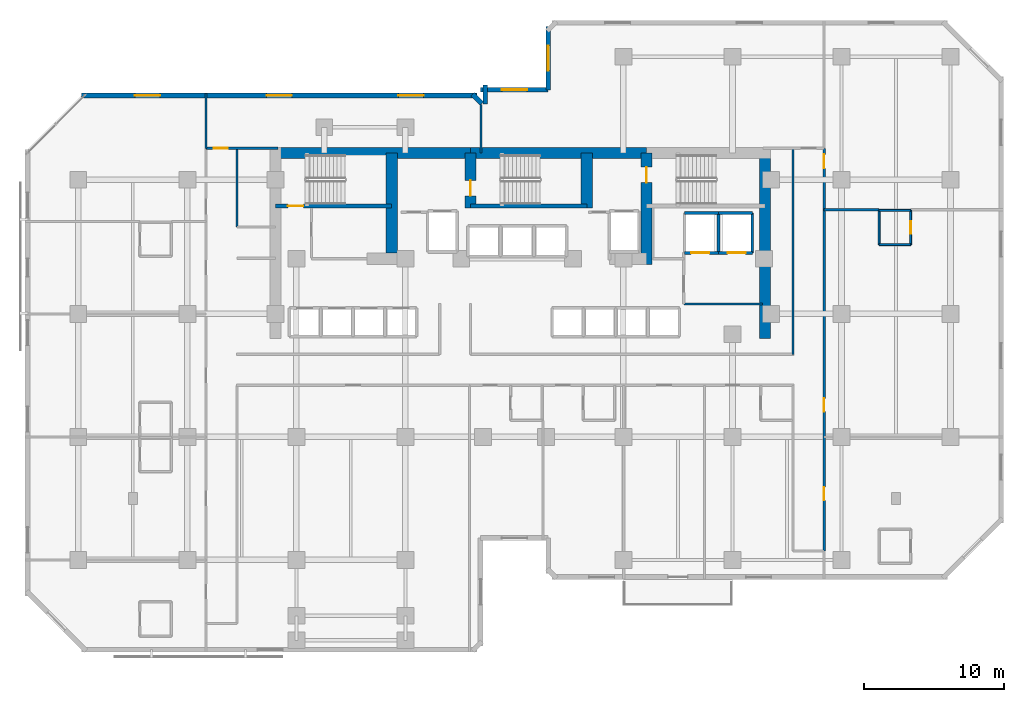
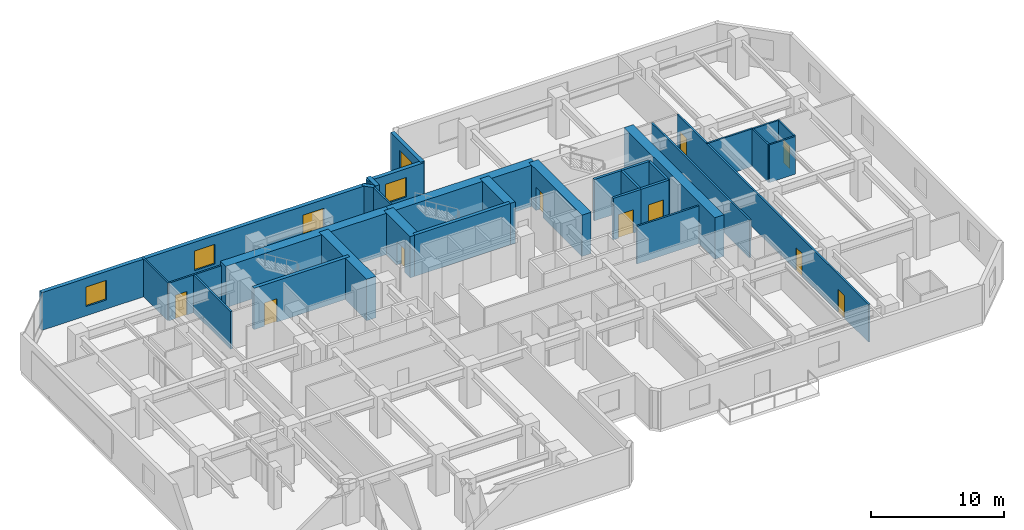
# One storey, part 8 of 11: 32 walls, 10 doors, 5 windows, 15 openings.
"""IFC4 building model written with IfcOpenShell, lengths in metres."""

from ifc_helpers import new_model, si_unit, direction, frame, frame_2d, origin, place, context, subcontext, project, spatial, rectangle, extrude, material, layer, layer_set, type_object, element, fill, save


model = new_model("IFC4")

# Units and contexts
model_context = context("Model", 3, precision=1e-05, world=origin(), true_north=direction((0.0, 1.0)))
body_context = subcontext(model_context, "Body", "Model", "MODEL_VIEW")
ifc_project = project(units=[si_unit("LENGTHUNIT", "METRE"), si_unit("AREAUNIT", "SQUARE_METRE"), si_unit("VOLUMEUNIT", "CUBIC_METRE"), si_unit("PLANEANGLEUNIT", "RADIAN"), si_unit("MASSUNIT", "GRAM", prefix="KILO")], contexts=[model_context])

# Site, building, storey
site_placement = place(None, origin())
site = spatial("IfcSite", under=ifc_project, at=site_placement, CompositionType="ELEMENT")
building_placement = place(site_placement, origin())
building = spatial("IfcBuilding", under=site, at=building_placement, Name="Kestravale Grand Hotel", CompositionType="ELEMENT")
storey_placement = place(building_placement, frame((0.0, 0.0, 126.0)))
storey = spatial("IfcBuildingStorey", under=building, at=storey_placement, Name="L31", CompositionType="ELEMENT", Elevation=126.0)

# Walls
ifc_material_1 = material(Name="Concrete f'c 60 MPa", Category="concrete")
ifc_layer_1 = layer(ifc_material_1, 0.800048828125)
ifc_layer_set_1 = layer_set([ifc_layer_1], Name="EW-CORE-800")
wall_type_1 = type_object("IfcWallType", Name="EW-CORE-800", PredefinedType="SHEAR", material=ifc_layer_set_1)
wall_1_placement = place(storey_placement, frame((21.5, 40.320068359375, 0.0), z_axis=(0.0, 0.0, 1.0), x_axis=(1.0, 0.0, 0.0)))
element("IfcWall", 1, at=wall_1_placement, inside=storey, type_object=wall_type_1, Name="L31 core shear wall N1", PredefinedType="SHEAR", context=body_context, shape_type="SweptSolid", body=[
    extrude(rectangle(XDim=14.35009765625, YDim=0.800048828125, at=frame_2d((7.175048828125, 0.0))), origin(), (0.0, 0.0, 1.0), 3.800048828125),
])
wall_2_placement = place(storey_placement, frame((35.85009765625, 40.320068359375, 0.0), z_axis=(0.0, 0.0, 1.0), x_axis=(1.0, 0.0, 0.0)))
element("IfcWall", 2, at=wall_2_placement, inside=storey, type_object=wall_type_1, Name="L31 core shear wall N2", PredefinedType="SHEAR", context=body_context, shape_type="SweptSolid", body=[
    extrude(rectangle(XDim=12.599853515625, YDim=0.800048828125, at=frame_2d((6.2998046875, 0.0))), origin(), (0.0, 0.0, 1.0), 3.800048828125),
])
wall_3_placement = place(storey_placement, frame((56.919921875, 27.050048828125, 0.0), z_axis=(0.0, 0.0, 1.0), x_axis=(0.0, 1.0, 0.0)))
element("IfcWall", 3, at=wall_3_placement, inside=storey, type_object=wall_type_1, Name="L31 core shear wall E1", PredefinedType="SHEAR", context=body_context, shape_type="SweptSolid", body=[
    extrude(rectangle(XDim=13.669921875, YDim=0.800048828125, at=frame_2d((6.8349609375, 0.0))), origin(), (0.0, 0.0, 1.0), 3.800048828125),
])
wall_4_placement = place(storey_placement, frame((30.219970703125, 33.14990234375, 0.0), z_axis=(0.0, 0.0, 1.0), x_axis=(0.0, 1.0, 0.0)))
element("IfcWall", 4, at=wall_4_placement, inside=storey, type_object=wall_type_1, Name="L31 core shear wall X1", PredefinedType="SHEAR", context=body_context, shape_type="SweptSolid", body=[
    extrude(rectangle(XDim=7.170166015625, YDim=0.800048828125, at=frame_2d((3.5849609375, 0.0))), origin(), (0.0, 0.0, 1.0), 3.800048828125),
])

# Wall, opening, door
wall_5_placement = place(storey_placement, frame((35.85009765625, 36.3701171875, 0.0), z_axis=(0.0, 0.0, 1.0), x_axis=(0.0, 1.0, 0.0)))
wall_5 = element("IfcWall", 5, at=wall_5_placement, inside=storey, type_object=wall_type_1, Name="L31 core shear wall X2", PredefinedType="SHEAR", context=body_context, shape_type="SweptSolid", body=[
    extrude(rectangle(XDim=3.949951171875, YDim=0.800048828125, at=frame_2d((1.97509765625, 0.0))), origin(), (0.0, 0.0, 1.0), 3.800048828125),
])
opening_1_placement = place(wall_5_placement, frame((0.8798828125, 0.0, 0.0)))
opening_1 = element("IfcOpeningElement", 6, at=opening_1_placement, cuts=wall_5, Name="Opening D-ST-1100", PredefinedType="OPENING", context=body_context, shape_type="SweptSolid", body=[
    extrude(rectangle(XDim=1.10009765625, YDim=2.14990234375, at=frame_2d((0.550048828125, 1.074951171875))), frame((0.0, 0.409912109375, 0.0), z_axis=(0.0, -1.0, 0.0), x_axis=(1.0, 0.0, 0.0)), (0.0, 0.0, 1.0), 0.820068359375),
])
ifc_material_2 = material(Name="Galvanised 90-minute fire-rated steel stair door", Category="steel")
door_type_1 = type_object("IfcDoorType", Name="D-ST-1100", OperationType="NOTDEFINED", PredefinedType="DOOR", material=ifc_material_2)
door_1_placement = place(opening_1_placement, origin())
door_1 = element("IfcDoor", 7, at=door_1_placement, inside=storey, type_object=door_type_1, Name="L31 Stair ST-2 FSAE fire door", OperationType="SINGLE_SWING_RIGHT", OverallHeight=2.14990234375, OverallWidth=1.10009765625, PredefinedType="DOOR", context=body_context, shape_type="SweptSolid", body=[
    extrude(rectangle(XDim=1.10009765625, YDim=2.14990234375, at=frame_2d((0.550048828125, 1.074951171875))), frame((0.0, 0.02490234375, 0.0), z_axis=(0.0, -1.0, 0.0), x_axis=(1.0, 0.0, 0.0)), (0.0, 0.0, 1.0), 0.050048828125),
])
fill(opening_1, door_1)

# Wall
wall_6_placement = place(storey_placement, frame((44.179931640625, 36.3701171875, 0.0), z_axis=(0.0, 0.0, 1.0), x_axis=(0.0, 1.0, 0.0)))
element("IfcWall", 8, at=wall_6_placement, inside=storey, type_object=wall_type_1, Name="L31 core shear wall X3", PredefinedType="SHEAR", context=body_context, shape_type="SweptSolid", body=[
    extrude(rectangle(XDim=3.949951171875, YDim=0.800048828125, at=frame_2d((1.97509765625, 0.0))), origin(), (0.0, 0.0, 1.0), 3.800048828125),
])

# Wall, opening, door
wall_7_placement = place(storey_placement, frame((48.449951171875, 32.35009765625, 0.0), z_axis=(0.0, 0.0, 1.0), x_axis=(0.0, 1.0, 0.0)))
wall_7 = element("IfcWall", 9, at=wall_7_placement, inside=storey, type_object=wall_type_1, Name="L31 core shear wall X4", PredefinedType="SHEAR", context=body_context, shape_type="SweptSolid", body=[
    extrude(rectangle(XDim=7.969970703125, YDim=0.800048828125, at=frame_2d((3.98486328125, 0.0))), origin(), (0.0, 0.0, 1.0), 3.800048828125),
])
opening_2_placement = place(wall_7_placement, frame((5.85009765625, 0.0, 0.0)))
opening_2 = element("IfcOpeningElement", 10, at=opening_2_placement, cuts=wall_7, Name="Opening D-ST-1100", PredefinedType="OPENING", context=body_context, shape_type="SweptSolid", body=[
    extrude(rectangle(XDim=1.10009765625, YDim=2.14990234375, at=frame_2d((0.550048828125, 1.074951171875))), frame((0.0, 0.409912109375, 0.0), z_axis=(0.0, -1.0, 0.0), x_axis=(1.0, 0.0, 0.0)), (0.0, 0.0, 1.0), 0.820068359375),
])
door_2_placement = place(opening_2_placement, origin())
door_2 = element("IfcDoor", 11, at=door_2_placement, inside=storey, type_object=door_type_1, Name="L31 Stair ST-3 FSAE fire door", OperationType="SINGLE_SWING_RIGHT", OverallHeight=2.14990234375, OverallWidth=1.10009765625, PredefinedType="DOOR", context=body_context, shape_type="SweptSolid", body=[
    extrude(rectangle(XDim=1.10009765625, YDim=2.14990234375, at=frame_2d((0.550048828125, 1.074951171875))), frame((0.0, 0.02490234375, 0.0), z_axis=(0.0, -1.0, 0.0), x_axis=(1.0, 0.0, 0.0)), (0.0, 0.0, 1.0), 0.050048828125),
])
fill(opening_2, door_2)

# Wall, opening, window
ifc_material_3 = material(Name="Precast concrete f'c 45 MPa", Category="concrete")
ifc_layer_2 = layer(ifc_material_3, 0.340087890625)
ifc_layer_set_2 = layer_set([ifc_layer_2], Name="EW-PREC-340")
wall_type_2 = type_object("IfcWallType", Name="EW-PREC-340", PredefinedType="SOLIDWALL", material=ifc_layer_set_2)
wall_8_placement = place(storey_placement, frame((41.419921875, 49.3701171875, 0.0), z_axis=(0.0, 0.0, 1.0), x_axis=(0.0, -1.0, 0.0)))
wall_8 = element("IfcWall", 12, at=wall_8_placement, inside=storey, type_object=wall_type_2, Name="L31 fluted precast facade wall 13", PredefinedType="SOLIDWALL", context=body_context, shape_type="SweptSolid", body=[
    extrude(rectangle(XDim=4.5400390625, YDim=0.340087890625, at=frame_2d((2.27001953125, 0.0))), origin(), (0.0, 0.0, 1.0), 3.4599609375),
])
opening_3_placement = place(wall_8_placement, frame((1.3701171875, 0.0, 0.85009765625)))
opening_3 = element("IfcOpeningElement", 13, at=opening_3_placement, cuts=wall_8, Name="Opening W-GUEST-1800", PredefinedType="OPENING", context=body_context, shape_type="SweptSolid", body=[
    extrude(rectangle(XDim=1.800048828125, YDim=1.800048828125, at=frame_2d((0.89990234375, 0.89990234375))), frame((0.0, 0.179931640625, 0.0), z_axis=(0.0, -1.0, 0.0), x_axis=(1.0, 0.0, 0.0)), (0.0, 0.0, 1.0), 0.360107421875),
])
ifc_material_4 = material(Name="Insulated low-E double glazing in aluminium frame", Category="aluminium")
window_type = type_object("IfcWindowType", Name="W-GUEST-1800", PartitioningType="DOUBLE_PANEL_VERTICAL", PredefinedType="WINDOW", material=ifc_material_4)
window_1_placement = place(opening_3_placement, origin())
window_1 = element("IfcWindow", 14, at=window_1_placement, inside=storey, type_object=window_type, Name="L31 exterior window 13.1", OverallHeight=1.800048828125, OverallWidth=1.800048828125, PartitioningType="SINGLE_PANEL", PredefinedType="WINDOW", context=body_context, shape_type="SweptSolid", body=[
    extrude(rectangle(XDim=1.800048828125, YDim=1.800048828125, at=frame_2d((0.89990234375, 0.89990234375))), frame((0.0, 0.030029296875, 0.0), z_axis=(0.0, -1.0, 0.0), x_axis=(1.0, 0.0, 0.0)), (0.0, 0.0, 1.0), 0.06005859375),
])
fill(opening_3, window_1)

wall_9_placement = place(storey_placement, frame((41.419921875, 44.830078125, 0.0), z_axis=(0.0, 0.0, 1.0), x_axis=(-1.0, 0.0, 0.0)))
wall_9 = element("IfcWall", 15, at=wall_9_placement, inside=storey, type_object=wall_type_2, Name="L31 fluted precast facade wall 14", PredefinedType="SOLIDWALL", context=body_context, shape_type="SweptSolid", body=[
    extrude(rectangle(XDim=4.83984375, YDim=0.340087890625, at=frame_2d((2.419921875, 0.0))), origin(), (0.0, 0.0, 1.0), 3.4599609375),
])
opening_4_placement = place(wall_9_placement, frame((1.52001953125, 0.0, 0.85009765625)))
opening_4 = element("IfcOpeningElement", 16, at=opening_4_placement, cuts=wall_9, Name="Opening W-GUEST-1800", PredefinedType="OPENING", context=body_context, shape_type="SweptSolid", body=[
    extrude(rectangle(XDim=1.800048828125, YDim=1.800048828125, at=frame_2d((0.89990234375, 0.89990234375))), frame((0.0, 0.179931640625, 0.0), z_axis=(0.0, -1.0, 0.0), x_axis=(1.0, 0.0, 0.0)), (0.0, 0.0, 1.0), 0.360107421875),
])
window_2_placement = place(opening_4_placement, origin())
window_2 = element("IfcWindow", 17, at=window_2_placement, inside=storey, type_object=window_type, Name="L31 exterior window 14.1", OverallHeight=1.800048828125, OverallWidth=1.800048828125, PartitioningType="SINGLE_PANEL", PredefinedType="WINDOW", context=body_context, shape_type="SweptSolid", body=[
    extrude(rectangle(XDim=1.800048828125, YDim=1.800048828125, at=frame_2d((0.89990234375, 0.89990234375))), frame((0.0, 0.030029296875, 0.0), z_axis=(0.0, -1.0, 0.0), x_axis=(1.0, 0.0, 0.0)), (0.0, 0.0, 1.0), 0.06005859375),
])
fill(opening_4, window_2)

# Walls
wall_10_placement = place(storey_placement, frame((36.919921875, 45.169921875, 0.0), z_axis=(0.0, 0.0, 1.0), x_axis=(0.0, -1.0, 0.0)))
element("IfcWall", 18, at=wall_10_placement, inside=storey, type_object=wall_type_2, Name="L31 fluted precast facade wall 15", PredefinedType="SOLIDWALL", context=body_context, shape_type="SweptSolid", body=[
    extrude(rectangle(XDim=1.33984375, YDim=0.340087890625, at=frame_2d((0.669921875, 0.0))), origin(), (0.0, 0.0, 1.0), 3.4599609375),
])
wall_11_placement = place(storey_placement, frame((36.658203125, 43.8515625, 0.0), z_axis=(0.0, 0.0, 1.0), x_axis=(-0.707238225886, 0.706975312048, 0.0)))
element("IfcWall", 19, at=wall_11_placement, inside=storey, type_object=wall_type_2, Name="L31 fluted precast facade wall 16", PredefinedType="SOLIDWALL", context=body_context, shape_type="SweptSolid", body=[
    extrude(rectangle(XDim=0.9287109375, YDim=0.340087890625, at=frame_2d((0.46435546875, 0.0))), origin(), (0.0, 0.0, 1.0), 3.4599609375),
])

# Wall, openings, windows
wall_12_placement = place(storey_placement, frame((36.320068359375, 44.429931640625, 0.0), z_axis=(0.0, 0.0, 1.0), x_axis=(-1.0, 0.0, 0.0)))
wall_12 = element("IfcWall", 20, at=wall_12_placement, inside=storey, type_object=wall_type_2, Name="L31 fluted precast facade wall 17", PredefinedType="SOLIDWALL", context=body_context, shape_type="SweptSolid", body=[
    extrude(rectangle(XDim=28.2900390625, YDim=0.340087890625, at=frame_2d((14.14501953125, 0.0))), origin(), (0.0, 0.0, 1.0), 3.4599609375),
])
opening_5_placement = place(wall_12_placement, frame((3.81494140625, 0.0, 0.85009765625)))
opening_5 = element("IfcOpeningElement", 21, at=opening_5_placement, cuts=wall_12, Name="Opening W-GUEST-1800", PredefinedType="OPENING", context=body_context, shape_type="SweptSolid", body=[
    extrude(rectangle(XDim=1.800048828125, YDim=1.800048828125, at=frame_2d((0.89990234375, 0.89990234375))), frame((0.0, 0.179931640625, 0.0), z_axis=(0.0, -1.0, 0.0), x_axis=(1.0, 0.0, 0.0)), (0.0, 0.0, 1.0), 0.360107421875),
])
opening_6_placement = place(wall_12_placement, frame((13.2451171875, 0.0, 0.85009765625)))
opening_6 = element("IfcOpeningElement", 22, at=opening_6_placement, cuts=wall_12, Name="Opening W-GUEST-1800", PredefinedType="OPENING", context=body_context, shape_type="SweptSolid", body=[
    extrude(rectangle(XDim=1.800048828125, YDim=1.800048828125, at=frame_2d((0.89990234375, 0.89990234375))), frame((0.0, 0.179931640625, 0.0), z_axis=(0.0, -1.0, 0.0), x_axis=(1.0, 0.0, 0.0)), (0.0, 0.0, 1.0), 0.360107421875),
])
opening_7_placement = place(wall_12_placement, frame((22.675048828125, 0.0, 0.85009765625)))
opening_7 = element("IfcOpeningElement", 23, at=opening_7_placement, cuts=wall_12, Name="Opening W-GUEST-1800", PredefinedType="OPENING", context=body_context, shape_type="SweptSolid", body=[
    extrude(rectangle(XDim=1.800048828125, YDim=1.800048828125, at=frame_2d((0.89990234375, 0.89990234375))), frame((0.0, 0.179931640625, 0.0), z_axis=(0.0, -1.0, 0.0), x_axis=(1.0, 0.0, 0.0)), (0.0, 0.0, 1.0), 0.360107421875),
])
window_3_placement = place(opening_5_placement, origin())
window_3 = element("IfcWindow", 24, at=window_3_placement, inside=storey, type_object=window_type, Name="L31 exterior window 17.1", OverallHeight=1.800048828125, OverallWidth=1.800048828125, PartitioningType="SINGLE_PANEL", PredefinedType="WINDOW", context=body_context, shape_type="SweptSolid", body=[
    extrude(rectangle(XDim=1.800048828125, YDim=1.800048828125, at=frame_2d((0.89990234375, 0.89990234375))), frame((0.0, 0.030029296875, 0.0), z_axis=(0.0, -1.0, 0.0), x_axis=(1.0, 0.0, 0.0)), (0.0, 0.0, 1.0), 0.06005859375),
])
fill(opening_5, window_3)
window_4_placement = place(opening_6_placement, origin())
window_4 = element("IfcWindow", 25, at=window_4_placement, inside=storey, type_object=window_type, Name="L31 exterior window 17.2", OverallHeight=1.800048828125, OverallWidth=1.800048828125, PartitioningType="SINGLE_PANEL", PredefinedType="WINDOW", context=body_context, shape_type="SweptSolid", body=[
    extrude(rectangle(XDim=1.800048828125, YDim=1.800048828125, at=frame_2d((0.89990234375, 0.89990234375))), frame((0.0, 0.030029296875, 0.0), z_axis=(0.0, -1.0, 0.0), x_axis=(1.0, 0.0, 0.0)), (0.0, 0.0, 1.0), 0.06005859375),
])
fill(opening_6, window_4)
window_5_placement = place(opening_7_placement, origin())
window_5 = element("IfcWindow", 26, at=window_5_placement, inside=storey, type_object=window_type, Name="L31 exterior window 17.3", OverallHeight=1.800048828125, OverallWidth=1.800048828125, PartitioningType="SINGLE_PANEL", PredefinedType="WINDOW", context=body_context, shape_type="SweptSolid", body=[
    extrude(rectangle(XDim=1.800048828125, YDim=1.800048828125, at=frame_2d((0.89990234375, 0.89990234375))), frame((0.0, 0.030029296875, 0.0), z_axis=(0.0, -1.0, 0.0), x_axis=(1.0, 0.0, 0.0)), (0.0, 0.0, 1.0), 0.06005859375),
])
fill(opening_7, window_5)

# Wall, opening, door
ifc_material_5 = material(Name="Concrete f'c 45 MPa", Category="concrete")
ifc_layer_3 = layer(ifc_material_5, 0.300048828125)
ifc_layer_set_3 = layer_set([ifc_layer_3], Name="EW-STAIR-300")
wall_type_3 = type_object("IfcWallType", Name="EW-STAIR-300", PredefinedType="SHEAR", material=ifc_layer_set_3)
wall_13_placement = place(storey_placement, frame((21.89990234375, 36.52001953125, 0.0), z_axis=(0.0, 0.0, 1.0), x_axis=(1.0, 0.0, 0.0)))
wall_13 = element("IfcWall", 27, at=wall_13_placement, inside=storey, type_object=wall_type_3, Name="L31 stair enclosure shear wall SST1", PredefinedType="SHEAR", context=body_context, shape_type="SweptSolid", body=[
    extrude(rectangle(XDim=8.320068359375, YDim=0.300048828125, at=frame_2d((4.16015625, 0.0))), origin(), (0.0, 0.0, 1.0), 3.800048828125),
])
opening_8_placement = place(wall_13_placement, frame((0.89990234375, 0.0, 0.0)))
opening_8 = element("IfcOpeningElement", 28, at=opening_8_placement, cuts=wall_13, Name="Opening D-ST-1100", PredefinedType="OPENING", context=body_context, shape_type="SweptSolid", body=[
    extrude(rectangle(XDim=1.10009765625, YDim=2.14990234375, at=frame_2d((0.550048828125, 1.074951171875))), frame((0.0, 0.159912109375, 0.0), z_axis=(0.0, -1.0, 0.0), x_axis=(1.0, 0.0, 0.0)), (0.0, 0.0, 1.0), 0.320068359375),
])
door_3_placement = place(opening_8_placement, origin())
door_3 = element("IfcDoor", 29, at=door_3_placement, inside=storey, type_object=door_type_1, Name="L31 Stair ST-1 fire door", OperationType="SINGLE_SWING_RIGHT", OverallHeight=2.14990234375, OverallWidth=1.10009765625, PredefinedType="DOOR", context=body_context, shape_type="SweptSolid", body=[
    extrude(rectangle(XDim=1.10009765625, YDim=2.14990234375, at=frame_2d((0.550048828125, 1.074951171875))), frame((0.0, 0.02490234375, 0.0), z_axis=(0.0, -1.0, 0.0), x_axis=(1.0, 0.0, 0.0)), (0.0, 0.0, 1.0), 0.050048828125),
])
fill(opening_8, door_3)

# Walls
wall_14_placement = place(storey_placement, frame((35.85009765625, 36.52001953125, 0.0), z_axis=(0.0, 0.0, 1.0), x_axis=(1.0, 0.0, 0.0)))
element("IfcWall", 30, at=wall_14_placement, inside=storey, type_object=wall_type_3, Name="L31 stair enclosure shear wall SST2", PredefinedType="SHEAR", context=body_context, shape_type="SweptSolid", body=[
    extrude(rectangle(XDim=8.329833984375, YDim=0.300048828125, at=frame_2d((4.1650390625, 0.0))), origin(), (0.0, 0.0, 1.0), 3.800048828125),
])
ifc_material_6 = material(Name="Acoustic fire-rated gypsum board partition", Category="other")
ifc_layer_4 = layer(ifc_material_6, 0.159912109375)
ifc_layer_set_4 = layer_set([ifc_layer_4], Name="IW-CORR-160")
wall_type_4 = type_object("IfcWallType", Name="IW-CORR-160", PredefinedType="PARTITIONING", material=ifc_layer_set_4)
for number, where, z_axis, x_axis, name in (
    (31, (51.1201171875, 29.5, 0.0), (0.0, 0.0, 1.0), (1.0, 0.0, 0.0), "L31 service lift lobby wall"),
    (32, (19.159912109375, 35.02001953125, 0.0), (0.0, 0.0, 1.0), (0.0, 1.0, 0.0), "W-L31-SW-EN"),
):
    element("IfcWall", number, at=place(storey_placement, frame(where, z_axis=z_axis, x_axis=x_axis)), inside=storey, type_object=wall_type_4, Name=name, PredefinedType="PARTITIONING", context=body_context, shape_type="SweptSolid", body=[
        extrude(rectangle(XDim=5.6298828125, YDim=0.159912109375, at=frame_2d((2.81494140625, 0.0))), origin(), (0.0, 0.0, 1.0), 3.4599609375),
    ])

# Wall, openings, doors
wall_15_placement = place(storey_placement, frame((61.159912109375, 11.85009765625, 0.0), z_axis=(0.0, 0.0, 1.0), x_axis=(0.0, 1.0, 0.0)))
wall_15 = element("IfcWall", 33, at=wall_15_placement, inside=storey, type_object=wall_type_4, Name="W-L31-SE-E", PredefinedType="PARTITIONING", context=body_context, shape_type="SweptSolid", body=[
    extrude(rectangle(XDim=28.7998046875, YDim=0.159912109375, at=frame_2d((14.39990234375, 0.0))), origin(), (0.0, 0.0, 1.0), 3.4599609375),
])
opening_9_placement = place(wall_15_placement, frame((3.60009765625, 0.0, 0.0)))
opening_9 = element("IfcOpeningElement", 34, at=opening_9_placement, cuts=wall_15, Name="Opening D-GUEST-950", PredefinedType="OPENING", context=body_context, shape_type="SweptSolid", body=[
    extrude(rectangle(XDim=0.949951171875, YDim=2.10009765625, at=frame_2d((0.47509765625, 1.050048828125))), frame((0.0, 0.08984375, 0.0), z_axis=(0.0, -1.0, 0.0), x_axis=(1.0, 0.0, 0.0)), (0.0, 0.0, 1.0), 0.179931640625),
])
opening_10_placement = place(wall_15_placement, frame((9.9580078125, 0.0, 0.0)))
opening_10 = element("IfcOpeningElement", 35, at=opening_10_placement, cuts=wall_15, Name="Opening D-GUEST-950", PredefinedType="OPENING", context=body_context, shape_type="SweptSolid", body=[
    extrude(rectangle(XDim=0.949951171875, YDim=2.10009765625, at=frame_2d((0.47509765625, 1.050048828125))), frame((0.0, 0.08984375, 0.0), z_axis=(0.0, -1.0, 0.0), x_axis=(1.0, 0.0, 0.0)), (0.0, 0.0, 1.0), 0.179931640625),
])
opening_11_placement = place(wall_15_placement, frame((27.360107421875, 0.0, 0.0)))
opening_11 = element("IfcOpeningElement", 36, at=opening_11_placement, cuts=wall_15, Name="Opening D-GUEST-1000", PredefinedType="OPENING", context=body_context, shape_type="SweptSolid", body=[
    extrude(rectangle(XDim=1.0, YDim=2.14990234375, at=frame_2d((0.5, 1.074951171875))), frame((0.0, 0.08984375, 0.0), z_axis=(0.0, -1.0, 0.0), x_axis=(1.0, 0.0, 0.0)), (0.0, 0.0, 1.0), 0.179931640625),
])
ifc_material_7 = material(Name="Accessible walnut veneer hotel entrance fire door", Category="wood")
door_type_2 = type_object("IfcDoorType", Name="D-GUEST-1000", OperationType="NOTDEFINED", PredefinedType="DOOR", material=ifc_material_7)
door_4_placement = place(opening_11_placement, origin())
door_4 = element("IfcDoor", 37, at=door_4_placement, inside=storey, type_object=door_type_2, Name="D-L31-AMEW", OperationType="SINGLE_SWING_LEFT", OverallHeight=2.14990234375, OverallWidth=1.0, PredefinedType="DOOR", context=body_context, shape_type="SweptSolid", body=[
    extrude(rectangle(XDim=1.0, YDim=2.14990234375, at=frame_2d((0.5, 1.074951171875))), frame((0.0, 0.02490234375, 0.0), z_axis=(0.0, -1.0, 0.0), x_axis=(1.0, 0.0, 0.0)), (0.0, 0.0, 1.0), 0.050048828125),
])
fill(opening_11, door_4)
ifc_material_8 = material(Name="Walnut veneer hotel guestroom entrance fire door", Category="wood")
door_type_3 = type_object("IfcDoorType", Name="D-GUEST-950", OperationType="NOTDEFINED", PredefinedType="DOOR", material=ifc_material_8)
door_5_placement = place(opening_9_placement, origin())
door_5 = element("IfcDoor", 38, at=door_5_placement, inside=storey, type_object=door_type_3, Name="D-L31-U08-ENT", OperationType="SINGLE_SWING_RIGHT", OverallHeight=2.10009765625, OverallWidth=0.949951171875, PredefinedType="DOOR", context=body_context, shape_type="SweptSolid", body=[
    extrude(rectangle(XDim=0.949951171875, YDim=2.10009765625, at=frame_2d((0.47509765625, 1.050048828125))), frame((0.0, 0.02490234375, 0.0), z_axis=(0.0, -1.0, 0.0), x_axis=(1.0, 0.0, 0.0)), (0.0, 0.0, 1.0), 0.050048828125),
])
fill(opening_9, door_5)
door_6_placement = place(opening_10_placement, origin())
door_6 = element("IfcDoor", 39, at=door_6_placement, inside=storey, type_object=door_type_3, Name="D-L31-U09-ENT", OperationType="SINGLE_SWING_RIGHT", OverallHeight=2.10009765625, OverallWidth=0.949951171875, PredefinedType="DOOR", context=body_context, shape_type="SweptSolid", body=[
    extrude(rectangle(XDim=0.949951171875, YDim=2.10009765625, at=frame_2d((0.47509765625, 1.050048828125))), frame((0.0, 0.02490234375, 0.0), z_axis=(0.0, -1.0, 0.0), x_axis=(1.0, 0.0, 0.0)), (0.0, 0.0, 1.0), 0.050048828125),
])
fill(opening_10, door_6)

# Walls
wall_16_placement = place(storey_placement, frame((58.93994140625, 25.909912109375, 0.0), z_axis=(0.0, 0.0, 1.0), x_axis=(0.0, 1.0, 0.0)))
element("IfcWall", 40, at=wall_16_placement, inside=storey, type_object=wall_type_4, Name="W-L31-SE-WU", PredefinedType="PARTITIONING", context=body_context, shape_type="SweptSolid", body=[
    extrude(rectangle(XDim=14.739990234375, YDim=0.159912109375, at=frame_2d((7.3701171875, 0.0))), origin(), (0.0, 0.0, 1.0), 3.4599609375),
])
ifc_material_9 = material(Name="Moisture-resistant tile-backer plumbing chase wall", Category="other")
ifc_layer_5 = layer(ifc_material_9, 0.139892578125)
ifc_layer_set_5 = layer_set([ifc_layer_5], Name="IW-PLB-140")
wall_type_5 = type_object("IfcWallType", Name="IW-PLB-140", PredefinedType="PLUMBINGWALL", material=ifc_layer_set_5)
wall_17_placement = place(storey_placement, frame((65.10009765625, 33.760009765625, 0.0), z_axis=(0.0, 0.0, 1.0), x_axis=(0.0, 1.0, 0.0)))
element("IfcWall", 41, at=wall_17_placement, inside=storey, type_object=wall_type_5, Name="W-L31-U09-BW", PredefinedType="PLUMBINGWALL", context=body_context, shape_type="SweptSolid", body=[
    extrude(rectangle(XDim=2.449951171875, YDim=0.139892578125, at=frame_2d((1.22509765625, 0.0))), origin(), (0.0, 0.0, 1.0), 3.4599609375),
])

# Wall, opening, door
wall_18_placement = place(storey_placement, frame((67.35009765625, 33.760009765625, 0.0), z_axis=(0.0, 0.0, 1.0), x_axis=(0.0, 1.0, 0.0)))
wall_18 = element("IfcWall", 42, at=wall_18_placement, inside=storey, type_object=wall_type_5, Name="W-L31-U09-BE", PredefinedType="PLUMBINGWALL", context=body_context, shape_type="SweptSolid", body=[
    extrude(rectangle(XDim=2.449951171875, YDim=0.139892578125, at=frame_2d((1.22509765625, 0.0))), origin(), (0.0, 0.0, 1.0), 3.4599609375),
])
opening_12_placement = place(wall_18_placement, frame((0.784912109375, 0.0, 0.0)))
opening_12 = element("IfcOpeningElement", 43, at=opening_12_placement, cuts=wall_18, Name="Opening D-BATH-880", PredefinedType="OPENING", context=body_context, shape_type="SweptSolid", body=[
    extrude(rectangle(XDim=0.8798828125, YDim=2.050048828125, at=frame_2d((0.43994140625, 1.02490234375))), frame((0.0, 0.079833984375, 0.0), z_axis=(0.0, -1.0, 0.0), x_axis=(1.0, 0.0, 0.0)), (0.0, 0.0, 1.0), 0.159912109375),
])
ifc_material_10 = material(Name="Moisture-sealed walnut en-suite bathroom door", Category="wood")
door_type_4 = type_object("IfcDoorType", Name="D-BATH-880", OperationType="NOTDEFINED", PredefinedType="DOOR", material=ifc_material_10)
door_7_placement = place(opening_12_placement, origin())
door_7 = element("IfcDoor", 44, at=door_7_placement, inside=storey, type_object=door_type_4, Name="D-L31-U09-BATH", OperationType="SINGLE_SWING_LEFT", OverallHeight=2.050048828125, OverallWidth=0.8798828125, PredefinedType="DOOR", context=body_context, shape_type="SweptSolid", body=[
    extrude(rectangle(XDim=0.8798828125, YDim=2.050048828125, at=frame_2d((0.43994140625, 1.02490234375))), frame((0.0, 0.02490234375, 0.0), z_axis=(0.0, -1.0, 0.0), x_axis=(1.0, 0.0, 0.0)), (0.0, 0.0, 1.0), 0.050048828125),
])
fill(opening_12, door_7)

# Walls
for number, where, z_axis, x_axis, name in (
    (45, (65.10009765625, 33.760009765625, 0.0), (0.0, 0.0, 1.0), (1.0, 0.0, 0.0), "W-L31-U09-BS"),
    (46, (65.10009765625, 36.2099609375, 0.0), (0.0, 0.0, 1.0), (1.0, 0.0, 0.0), "W-L31-U09-BN"),
):
    element("IfcWall", number, at=place(storey_placement, frame(where, z_axis=z_axis, x_axis=x_axis)), inside=storey, type_object=wall_type_5, Name=name, PredefinedType="PLUMBINGWALL", context=body_context, shape_type="SweptSolid", body=[
        extrude(rectangle(XDim=2.25, YDim=0.139892578125, at=frame_2d((1.125, 0.0))), origin(), (0.0, 0.0, 1.0), 3.4599609375),
    ])
ifc_material_11 = material(Name="Concrete f'c 45 MPa", Category="concrete")
ifc_layer_6 = layer(ifc_material_11, 0.199951171875)
ifc_layer_set_6 = layer_set([ifc_layer_6], Name="IW-SHAFT-200")
wall_type_6 = type_object("IfcWallType", Name="IW-SHAFT-200", PredefinedType="SHEAR", material=ifc_layer_set_6)
for number, where, z_axis, x_axis, name in (
    (47, (53.60009765625, 33.169921875, 0.0), (0.0, 0.0, 1.0), (0.0, 1.0, 0.0), "L31 SL-2 west shaft wall"),
    (48, (56.02001953125, 33.169921875, 0.0), (0.0, 0.0, 1.0), (0.0, 1.0, 0.0), "L31 SL-2 east shaft wall"),
):
    element("IfcWall", number, at=place(storey_placement, frame(where, z_axis=z_axis, x_axis=x_axis)), inside=storey, type_object=wall_type_6, Name=name, PredefinedType="SHEAR", context=body_context, shape_type="SweptSolid", body=[
        extrude(rectangle(XDim=2.860107421875, YDim=0.199951171875, at=frame_2d((1.43017578125, 0.0))), origin(), (0.0, 0.0, 1.0), 3.800048828125),
    ])
ifc_material_12 = material(Name="Concrete f'c 45 MPa", Category="concrete")
ifc_layer_7 = layer(ifc_material_12, 0.219970703125)
ifc_layer_set_7 = layer_set([ifc_layer_7], Name="IW-SHAFT-220")
wall_type_7 = type_object("IfcWallType", Name="IW-SHAFT-220", PredefinedType="SHEAR", material=ifc_layer_set_7)
wall_19_placement = place(storey_placement, frame((51.179931640625, 36.030029296875, 0.0), z_axis=(0.0, 0.0, 1.0), x_axis=(1.0, 0.0, 0.0)))
element("IfcWall", 49, at=wall_19_placement, inside=storey, type_object=wall_type_7, Name="L31 SL-1 north shaft wall", PredefinedType="SHEAR", context=body_context, shape_type="SweptSolid", body=[
    extrude(rectangle(XDim=2.420166015625, YDim=0.219970703125, at=frame_2d((1.2099609375, 0.0))), origin(), (0.0, 0.0, 1.0), 3.800048828125),
])

# Wall, opening, door
wall_20_placement = place(storey_placement, frame((51.179931640625, 33.169921875, 0.0), z_axis=(0.0, 0.0, 1.0), x_axis=(1.0, 0.0, 0.0)))
wall_20 = element("IfcWall", 50, at=wall_20_placement, inside=storey, type_object=wall_type_7, Name="L31 SL-1 south shaft wall", PredefinedType="SHEAR", context=body_context, shape_type="SweptSolid", body=[
    extrude(rectangle(XDim=2.420166015625, YDim=0.219970703125, at=frame_2d((1.2099609375, 0.0))), origin(), (0.0, 0.0, 1.0), 3.800048828125),
])
opening_13_placement = place(wall_20_placement, frame((0.469970703125, 0.0, 0.0)))
opening_13 = element("IfcOpeningElement", 51, at=opening_13_placement, cuts=wall_20, Name="Opening LD-SVC-1300", PredefinedType="OPENING", context=body_context, shape_type="SweptSolid", body=[
    extrude(rectangle(XDim=1.300048828125, YDim=2.14990234375, at=frame_2d((0.64990234375, 1.074951171875))), frame((0.0, 0.119873046875, 0.0), z_axis=(0.0, -1.0, 0.0), x_axis=(1.0, 0.0, 0.0)), (0.0, 0.0, 1.0), 0.239990234375),
])
ifc_material_13 = material(Name="Heavy-duty service sliding elevator landing door", Category="steel")
door_type_5 = type_object("IfcDoorType", Name="LD-SVC-1300", OperationType="NOTDEFINED", PredefinedType="DOOR", material=ifc_material_13)
door_8_placement = place(opening_13_placement, origin())
door_8 = element("IfcDoor", 52, at=door_8_placement, inside=storey, type_object=door_type_5, Name="L31 SL-1 elevator landing sliding door", OperationType="DOUBLE_DOOR_SLIDING", OverallHeight=2.14990234375, OverallWidth=1.300048828125, PredefinedType="DOOR", context=body_context, shape_type="SweptSolid", body=[
    extrude(rectangle(XDim=1.300048828125, YDim=2.14990234375, at=frame_2d((0.64990234375, 1.074951171875))), frame((0.0, 0.02490234375, 0.0), z_axis=(0.0, -1.0, 0.0), x_axis=(1.0, 0.0, 0.0)), (0.0, 0.0, 1.0), 0.050048828125),
])
fill(opening_13, door_8)

# Wall
wall_21_placement = place(storey_placement, frame((53.60009765625, 36.030029296875, 0.0), z_axis=(0.0, 0.0, 1.0), x_axis=(1.0, 0.0, 0.0)))
element("IfcWall", 53, at=wall_21_placement, inside=storey, type_object=wall_type_7, Name="L31 SL-2 north shaft wall", PredefinedType="SHEAR", context=body_context, shape_type="SweptSolid", body=[
    extrude(rectangle(XDim=2.419921875, YDim=0.219970703125, at=frame_2d((1.2099609375, 0.0))), origin(), (0.0, 0.0, 1.0), 3.800048828125),
])

# Wall, opening, door
wall_22_placement = place(storey_placement, frame((53.60009765625, 33.169921875, 0.0), z_axis=(0.0, 0.0, 1.0), x_axis=(1.0, 0.0, 0.0)))
wall_22 = element("IfcWall", 54, at=wall_22_placement, inside=storey, type_object=wall_type_7, Name="L31 SL-2 south shaft wall", PredefinedType="SHEAR", context=body_context, shape_type="SweptSolid", body=[
    extrude(rectangle(XDim=2.419921875, YDim=0.219970703125, at=frame_2d((1.2099609375, 0.0))), origin(), (0.0, 0.0, 1.0), 3.800048828125),
])
opening_14_placement = place(wall_22_placement, frame((0.64990234375, 0.0, 0.0)))
opening_14 = element("IfcOpeningElement", 55, at=opening_14_placement, cuts=wall_22, Name="Opening LD-SVC-1300", PredefinedType="OPENING", context=body_context, shape_type="SweptSolid", body=[
    extrude(rectangle(XDim=1.300048828125, YDim=2.14990234375, at=frame_2d((0.64990234375, 1.074951171875))), frame((0.0, 0.119873046875, 0.0), z_axis=(0.0, -1.0, 0.0), x_axis=(1.0, 0.0, 0.0)), (0.0, 0.0, 1.0), 0.239990234375),
])
door_9_placement = place(opening_14_placement, origin())
door_9 = element("IfcDoor", 56, at=door_9_placement, inside=storey, type_object=door_type_5, Name="L31 SL-2 elevator landing sliding door", OperationType="DOUBLE_DOOR_SLIDING", OverallHeight=2.14990234375, OverallWidth=1.300048828125, PredefinedType="DOOR", context=body_context, shape_type="SweptSolid", body=[
    extrude(rectangle(XDim=1.300048828125, YDim=2.14990234375, at=frame_2d((0.64990234375, 1.074951171875))), frame((0.0, 0.02490234375, 0.0), z_axis=(0.0, -1.0, 0.0), x_axis=(1.0, 0.0, 0.0)), (0.0, 0.0, 1.0), 0.050048828125),
])
fill(opening_14, door_9)

ifc_material_14 = material(Name="Double-stud STC 52 acoustic demising partition", Category="other")
ifc_layer_8 = layer(ifc_material_14, 0.14990234375)
ifc_layer_set_8 = layer_set([ifc_layer_8], Name="IW-UNIT-150")
wall_type_8 = type_object("IfcWallType", Name="IW-UNIT-150", PredefinedType="PARTITIONING", material=ifc_layer_set_8)
wall_23_placement = place(storey_placement, frame((16.93994140625, 40.64990234375, 0.0), z_axis=(0.0, 0.0, 1.0), x_axis=(1.0, 0.0, 0.0)))
wall_23 = element("IfcWall", 57, at=wall_23_placement, inside=storey, type_object=wall_type_8, Name="W-L31-SW-N", PredefinedType="PARTITIONING", context=body_context, shape_type="SweptSolid", body=[
    extrude(rectangle(XDim=5.16015625, YDim=0.14990234375, at=frame_2d((2.580078125, 0.0))), origin(), (0.0, 0.0, 1.0), 3.4599609375),
])
opening_15_placement = place(wall_23_placement, frame((0.550048828125, 0.0, 0.0)))
opening_15 = element("IfcOpeningElement", 58, at=opening_15_placement, cuts=wall_23, Name="Opening D-GUEST-1000", PredefinedType="OPENING", context=body_context, shape_type="SweptSolid", body=[
    extrude(rectangle(XDim=1.0, YDim=2.14990234375, at=frame_2d((0.5, 1.074951171875))), frame((0.0, 0.0849609375, 0.0), z_axis=(0.0, -1.0, 0.0), x_axis=(1.0, 0.0, 0.0)), (0.0, 0.0, 1.0), 0.169921875),
])
door_10_placement = place(opening_15_placement, origin())
door_10 = element("IfcDoor", 59, at=door_10_placement, inside=storey, type_object=door_type_2, Name="L31 NW Gallery Door", OperationType="SINGLE_SWING_RIGHT", OverallHeight=2.14990234375, OverallWidth=1.0, PredefinedType="DOOR", context=body_context, shape_type="SweptSolid", body=[
    extrude(rectangle(XDim=1.0, YDim=2.14990234375, at=frame_2d((0.5, 1.074951171875))), frame((0.0, 0.02490234375, 0.0), z_axis=(0.0, -1.0, 0.0), x_axis=(1.0, 0.0, 0.0)), (0.0, 0.0, 1.0), 0.050048828125),
])
fill(opening_15, door_10)

# Walls
wall_24_placement = place(storey_placement, frame((16.93994140625, 40.64990234375, 0.0), z_axis=(0.0, 0.0, 1.0), x_axis=(0.0, 1.0, 0.0)))
element("IfcWall", 60, at=wall_24_placement, inside=storey, type_object=wall_type_8, Name="W-L31-NGW-W", PredefinedType="PARTITIONING", context=body_context, shape_type="SweptSolid", body=[
    extrude(rectangle(XDim=3.93017578125, YDim=0.14990234375, at=frame_2d((1.965087890625, 0.0))), origin(), (0.0, 0.0, 1.0), 3.4599609375),
])
wall_25_placement = place(storey_placement, frame((36.60009765625, 40.320068359375, 0.0), z_axis=(0.0, 0.0, 1.0), x_axis=(0.0, 1.0, 0.0)))
element("IfcWall", 61, at=wall_25_placement, inside=storey, type_object=wall_type_8, Name="W-L31-NGM", PredefinedType="PARTITIONING", context=body_context, shape_type="SweptSolid", body=[
    extrude(rectangle(XDim=3.445068359375, YDim=0.14990234375, at=frame_2d((1.72265625, 0.0))), origin(), (0.0, 0.0, 1.0), 3.4599609375),
])
wall_26_placement = place(storey_placement, frame((61.159912109375, 36.25, 0.0), z_axis=(0.0, 0.0, 1.0), x_axis=(1.0, 0.0, 0.0)))
element("IfcWall", 62, at=wall_26_placement, inside=storey, type_object=wall_type_8, Name="W-L31-EW-2", PredefinedType="PARTITIONING", context=body_context, shape_type="SweptSolid", body=[
    extrude(rectangle(XDim=3.940185546875, YDim=0.14990234375, at=frame_2d((1.97021484375, 0.0))), origin(), (0.0, 0.0, 1.0), 3.4599609375),
])

save(model, "model.ifc")
